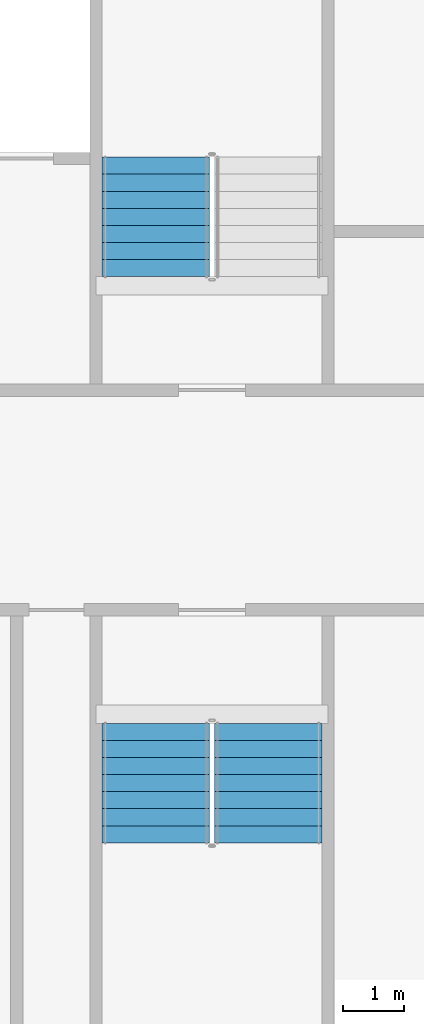
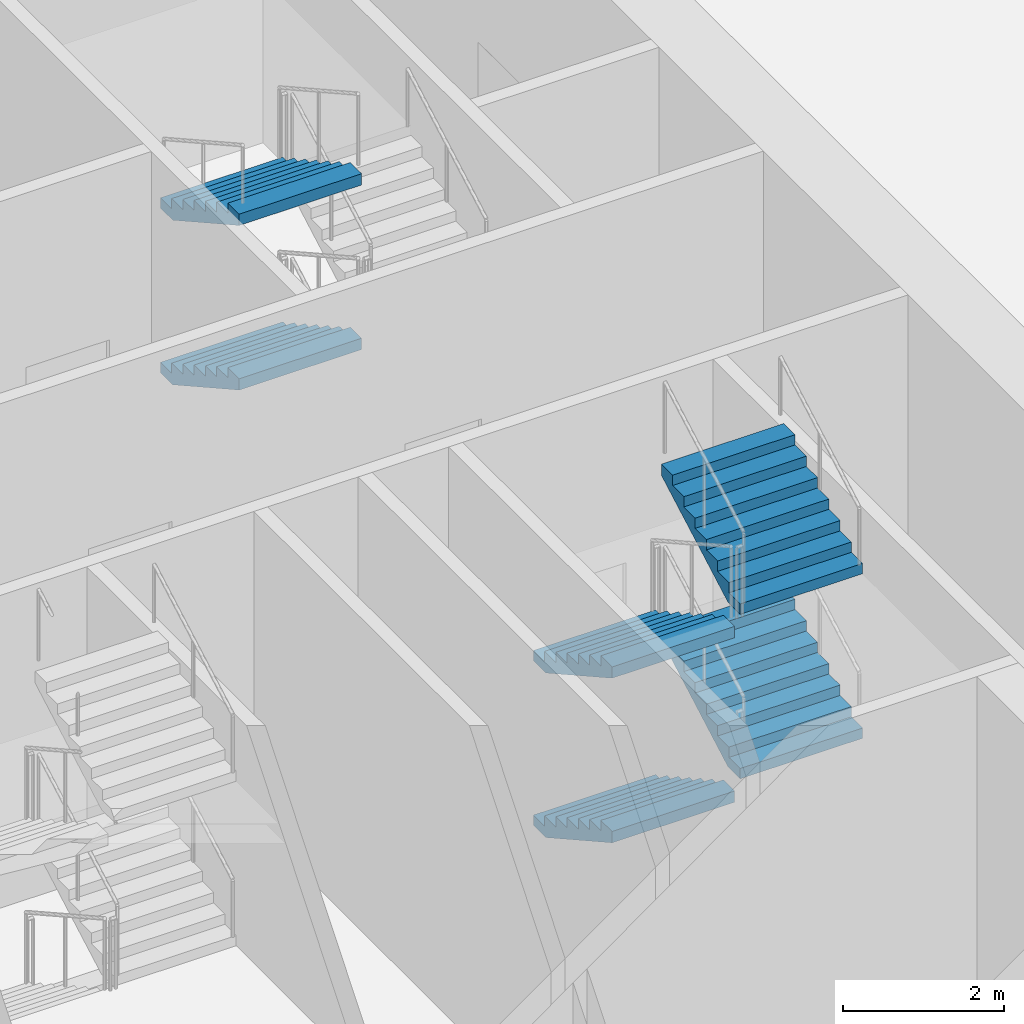
# One storey, part 15 of 22: 6 stair flights, 2 elements without a shape of their own.
"""IFC4 building model written with IfcOpenShell, lengths in metres."""

from ifc_helpers import new_model, si_unit, direction, frame, origin, place, context, subcontext, project, spatial, faceted_brep, material, type_object, element, aggregate, save


model = new_model("IFC4")

# Units and contexts
model_context = context("Model", 3, precision=1e-05, world=origin(), true_north=direction((0.0, 1.0)))
body_context = subcontext(model_context, "Body", "Model", "MODEL_VIEW")
ifc_project = project(units=[si_unit("LENGTHUNIT", "METRE"), si_unit("AREAUNIT", "SQUARE_METRE"), si_unit("VOLUMEUNIT", "CUBIC_METRE"), si_unit("PLANEANGLEUNIT", "RADIAN"), si_unit("MASSUNIT", "GRAM", prefix="KILO")], contexts=[model_context])

# Site, building, storey
site_placement = place(None, origin())
site = spatial("IfcSite", under=ifc_project, at=site_placement, CompositionType="ELEMENT")
building_placement = place(site_placement, origin())
building = spatial("IfcBuilding", under=site, at=building_placement, Name="Tarsis Ring Headquarters", CompositionType="ELEMENT")
storey_placement = place(building_placement, frame((0.0, 0.0, 25.0)))
storey = spatial("IfcBuildingStorey", under=building, at=storey_placement, Name="L04", CompositionType="ELEMENT", Elevation=25.0)

# Stair, stair flights
ifc_material_1 = material(Name="Core stair 1760")
stair_type = type_object("IfcStairType", Name="Core stair 1760", PredefinedType="HALF_TURN_STAIR", material=ifc_material_1)
stair_1_placement = place(storey_placement, origin())
stair_1 = element("IfcStair", 1, at=stair_1_placement, inside=storey, type_object=stair_type, Name="L04 Exit stair B", PredefinedType="HALF_TURN_STAIR")
ifc_material_2 = material(Name="Concrete C40/50", Category="concrete")
stair_flight_type = type_object("IfcStairFlightType", Name="Core stair flight 1760", PredefinedType="STRAIGHT", material=ifc_material_2)
stair_flight_1_placement = place(storey_placement, frame((3.580078125, 5.6201171875, 1.25), z_axis=(0.0, 0.0, 1.0), x_axis=(0.0, -1.0, 0.0)))
stair_flight_1 = element("IfcStairFlight", 2, at=stair_flight_1_placement, type_object=stair_flight_type, Name="Stair ST2 flight 2", NumberOfRisers=8, NumberOfTreads=7, PredefinedType="STRAIGHT", RiserHeight=0.15625, TreadLength=0.28, context=body_context, shape_type="Brep", body=[
    faceted_brep([(0.0, 0.8798828125, 0.0), (0.0, 0.8798828125, 0.15625), (0.280029296875, 0.8798828125, 0.15625), (0.280029296875, 0.8798828125, 0.3125), (0.56005859375, 0.8798828125, 0.3125), (0.56005859375, 0.8798828125, 0.46875), (0.840087890625, 0.8798828125, 0.46875), (0.840087890625, 0.8798828125, 0.625), (1.1201171875, 0.8798828125, 0.625), (1.1201171875, 0.8798828125, 0.78125), (1.39990234375, 0.8798828125, 0.78125), (1.39990234375, 0.8798828125, 0.9375), (1.679931640625, 0.8798828125, 0.9375), (1.679931640625, 0.8798828125, 1.09375), (1.9599609375, 0.8798828125, 1.09375), (1.9599609375, 0.8798828125, 0.922119140625), (0.3076171875, 0.8798828125, 0.0), (0.3076171875, -0.8798828125, 0.0), (1.9599609375, -0.8798828125, 0.922119140625), (1.9599609375, -0.8798828125, 1.09375), (1.679931640625, -0.8798828125, 1.09375), (1.679931640625, -0.8798828125, 0.9375), (1.39990234375, -0.8798828125, 0.9375), (1.39990234375, -0.8798828125, 0.78125), (1.1201171875, -0.8798828125, 0.78125), (1.1201171875, -0.8798828125, 0.625), (0.840087890625, -0.8798828125, 0.625), (0.840087890625, -0.8798828125, 0.46875), (0.56005859375, -0.8798828125, 0.46875), (0.56005859375, -0.8798828125, 0.3125), (0.280029296875, -0.8798828125, 0.3125), (0.280029296875, -0.8798828125, 0.15625), (0.0, -0.8798828125, 0.15625), (0.0, -0.8798828125, 0.0), (0.0, -0.43994140625, 0.15625), (0.0, -0.43994140625, 0.0), (0.0, 0.0, 0.15625), (0.0, 0.0, 0.0), (0.0, 0.43994140625, 0.15625), (0.0, 0.43994140625, 0.0), (0.280029296875, -0.43994140625, 0.15625), (0.280029296875, 0.0, 0.15625), (0.280029296875, 0.43994140625, 0.15625), (0.280029296875, -0.43994140625, 0.3125), (0.280029296875, 0.0, 0.3125), (0.280029296875, 0.43994140625, 0.3125), (0.56005859375, -0.43994140625, 0.3125), (0.56005859375, 0.0, 0.3125), (0.56005859375, 0.43994140625, 0.3125), (0.56005859375, -0.43994140625, 0.46875), (0.56005859375, 0.0, 0.46875), (0.56005859375, 0.43994140625, 0.46875), (0.840087890625, -0.43994140625, 0.46875), (0.840087890625, 0.0, 0.46875), (0.840087890625, 0.43994140625, 0.46875), (0.840087890625, -0.43994140625, 0.625), (0.840087890625, 0.0, 0.625), (0.840087890625, 0.43994140625, 0.625), (1.1201171875, -0.43994140625, 0.625), (1.1201171875, 0.0, 0.625), (1.1201171875, 0.43994140625, 0.625), (1.1201171875, -0.43994140625, 0.78125), (1.1201171875, 0.0, 0.78125), (1.1201171875, 0.43994140625, 0.78125), (1.39990234375, -0.43994140625, 0.78125), (1.39990234375, 0.0, 0.78125), (1.39990234375, 0.43994140625, 0.78125), (1.39990234375, -0.43994140625, 0.9375), (1.39990234375, 0.0, 0.9375), (1.39990234375, 0.43994140625, 0.9375), (1.679931640625, -0.43994140625, 0.9375), (1.679931640625, 0.0, 0.9375), (1.679931640625, 0.43994140625, 0.9375), (1.679931640625, -0.43994140625, 1.09375), (1.679931640625, 0.0, 1.09375), (1.679931640625, 0.43994140625, 1.09375), (1.9599609375, -0.43994140625, 1.09375), (1.9599609375, 0.0, 1.09375), (1.9599609375, 0.43994140625, 1.09375), (1.9599609375, -0.43994140625, 0.922119140625), (1.9599609375, 0.0, 0.922119140625), (1.9599609375, 0.43994140625, 0.922119140625), (0.3076171875, -0.43994140625, 0.0), (0.3076171875, 0.0, 0.0), (0.3076171875, 0.43994140625, 0.0)], [[[0, 1, 2, 3, 4, 5, 6, 7, 8, 9, 10, 11, 12, 13, 14, 15, 16]], [[17, 18, 19, 20, 21, 22, 23, 24, 25, 26, 27, 28, 29, 30, 31, 32, 33]], [[33, 32, 34, 35]], [[35, 34, 36, 37]], [[37, 36, 38, 39]], [[39, 38, 1, 0]], [[32, 31, 40, 34]], [[34, 40, 41, 36]], [[36, 41, 42, 38]], [[38, 42, 2, 1]], [[31, 30, 43, 40]], [[40, 43, 44, 41]], [[41, 44, 45, 42]], [[42, 45, 3, 2]], [[30, 29, 46, 43]], [[43, 46, 47, 44]], [[44, 47, 48, 45]], [[45, 48, 4, 3]], [[29, 28, 49, 46]], [[46, 49, 50, 47]], [[47, 50, 51, 48]], [[48, 51, 5, 4]], [[28, 27, 52, 49]], [[49, 52, 53, 50]], [[50, 53, 54, 51]], [[51, 54, 6, 5]], [[27, 26, 55, 52]], [[52, 55, 56, 53]], [[53, 56, 57, 54]], [[54, 57, 7, 6]], [[26, 25, 58, 55]], [[55, 58, 59, 56]], [[56, 59, 60, 57]], [[57, 60, 8, 7]], [[25, 24, 61, 58]], [[58, 61, 62, 59]], [[59, 62, 63, 60]], [[60, 63, 9, 8]], [[24, 23, 64, 61]], [[61, 64, 65, 62]], [[62, 65, 66, 63]], [[63, 66, 10, 9]], [[23, 22, 67, 64]], [[64, 67, 68, 65]], [[65, 68, 69, 66]], [[66, 69, 11, 10]], [[22, 21, 70, 67]], [[67, 70, 71, 68]], [[68, 71, 72, 69]], [[69, 72, 12, 11]], [[21, 20, 73, 70]], [[70, 73, 74, 71]], [[71, 74, 75, 72]], [[72, 75, 13, 12]], [[20, 19, 76, 73]], [[73, 76, 77, 74]], [[74, 77, 78, 75]], [[75, 78, 14, 13]], [[19, 18, 79, 76]], [[76, 79, 80, 77]], [[77, 80, 81, 78]], [[78, 81, 15, 14]], [[18, 17, 82, 79]], [[79, 82, 83, 80]], [[80, 83, 84, 81]], [[81, 84, 16, 15]], [[17, 33, 35, 82]], [[82, 35, 37, 83]], [[83, 37, 39, 84]], [[84, 39, 0, 16]]]),
])
stair_flight_2_placement = place(storey_placement, frame((3.580078125, 5.6201171875, 3.75), z_axis=(0.0, 0.0, 1.0), x_axis=(0.0, -1.0, 0.0)))
stair_flight_2 = element("IfcStairFlight", 3, at=stair_flight_2_placement, type_object=stair_flight_type, Name="Stair ST2 flight 4", NumberOfRisers=8, NumberOfTreads=7, PredefinedType="STRAIGHT", RiserHeight=0.15625, TreadLength=0.28, context=body_context, shape_type="Brep", body=[
    faceted_brep([(0.0, 0.8798828125, 0.0), (0.0, 0.8798828125, 0.15625), (0.280029296875, 0.8798828125, 0.15625), (0.280029296875, 0.8798828125, 0.3125), (0.56005859375, 0.8798828125, 0.3125), (0.56005859375, 0.8798828125, 0.46875), (0.840087890625, 0.8798828125, 0.46875), (0.840087890625, 0.8798828125, 0.625), (1.1201171875, 0.8798828125, 0.625), (1.1201171875, 0.8798828125, 0.78125), (1.39990234375, 0.8798828125, 0.78125), (1.39990234375, 0.8798828125, 0.9375), (1.679931640625, 0.8798828125, 0.9375), (1.679931640625, 0.8798828125, 1.09375), (1.9599609375, 0.8798828125, 1.09375), (1.9599609375, 0.8798828125, 0.922119140625), (0.3076171875, 0.8798828125, 0.0), (0.3076171875, -0.8798828125, 0.0), (1.9599609375, -0.8798828125, 0.922119140625), (1.9599609375, -0.8798828125, 1.09375), (1.679931640625, -0.8798828125, 1.09375), (1.679931640625, -0.8798828125, 0.9375), (1.39990234375, -0.8798828125, 0.9375), (1.39990234375, -0.8798828125, 0.78125), (1.1201171875, -0.8798828125, 0.78125), (1.1201171875, -0.8798828125, 0.625), (0.840087890625, -0.8798828125, 0.625), (0.840087890625, -0.8798828125, 0.46875), (0.56005859375, -0.8798828125, 0.46875), (0.56005859375, -0.8798828125, 0.3125), (0.280029296875, -0.8798828125, 0.3125), (0.280029296875, -0.8798828125, 0.15625), (0.0, -0.8798828125, 0.15625), (0.0, -0.8798828125, 0.0), (0.0, -0.43994140625, 0.15625), (0.0, -0.43994140625, 0.0), (0.0, 0.0, 0.15625), (0.0, 0.0, 0.0), (0.0, 0.43994140625, 0.15625), (0.0, 0.43994140625, 0.0), (0.280029296875, -0.43994140625, 0.15625), (0.280029296875, 0.0, 0.15625), (0.280029296875, 0.43994140625, 0.15625), (0.280029296875, -0.43994140625, 0.3125), (0.280029296875, 0.0, 0.3125), (0.280029296875, 0.43994140625, 0.3125), (0.56005859375, -0.43994140625, 0.3125), (0.56005859375, 0.0, 0.3125), (0.56005859375, 0.43994140625, 0.3125), (0.56005859375, -0.43994140625, 0.46875), (0.56005859375, 0.0, 0.46875), (0.56005859375, 0.43994140625, 0.46875), (0.840087890625, -0.43994140625, 0.46875), (0.840087890625, 0.0, 0.46875), (0.840087890625, 0.43994140625, 0.46875), (0.840087890625, -0.43994140625, 0.625), (0.840087890625, 0.0, 0.625), (0.840087890625, 0.43994140625, 0.625), (1.1201171875, -0.43994140625, 0.625), (1.1201171875, 0.0, 0.625), (1.1201171875, 0.43994140625, 0.625), (1.1201171875, -0.43994140625, 0.78125), (1.1201171875, 0.0, 0.78125), (1.1201171875, 0.43994140625, 0.78125), (1.39990234375, -0.43994140625, 0.78125), (1.39990234375, 0.0, 0.78125), (1.39990234375, 0.43994140625, 0.78125), (1.39990234375, -0.43994140625, 0.9375), (1.39990234375, 0.0, 0.9375), (1.39990234375, 0.43994140625, 0.9375), (1.679931640625, -0.43994140625, 0.9375), (1.679931640625, 0.0, 0.9375), (1.679931640625, 0.43994140625, 0.9375), (1.679931640625, -0.43994140625, 1.09375), (1.679931640625, 0.0, 1.09375), (1.679931640625, 0.43994140625, 1.09375), (1.9599609375, -0.43994140625, 1.09375), (1.9599609375, 0.0, 1.09375), (1.9599609375, 0.43994140625, 1.09375), (1.9599609375, -0.43994140625, 0.922119140625), (1.9599609375, 0.0, 0.922119140625), (1.9599609375, 0.43994140625, 0.922119140625), (0.3076171875, -0.43994140625, 0.0), (0.3076171875, 0.0, 0.0), (0.3076171875, 0.43994140625, 0.0)], [[[0, 1, 2, 3, 4, 5, 6, 7, 8, 9, 10, 11, 12, 13, 14, 15, 16]], [[17, 18, 19, 20, 21, 22, 23, 24, 25, 26, 27, 28, 29, 30, 31, 32, 33]], [[33, 32, 34, 35]], [[35, 34, 36, 37]], [[37, 36, 38, 39]], [[39, 38, 1, 0]], [[32, 31, 40, 34]], [[34, 40, 41, 36]], [[36, 41, 42, 38]], [[38, 42, 2, 1]], [[31, 30, 43, 40]], [[40, 43, 44, 41]], [[41, 44, 45, 42]], [[42, 45, 3, 2]], [[30, 29, 46, 43]], [[43, 46, 47, 44]], [[44, 47, 48, 45]], [[45, 48, 4, 3]], [[29, 28, 49, 46]], [[46, 49, 50, 47]], [[47, 50, 51, 48]], [[48, 51, 5, 4]], [[28, 27, 52, 49]], [[49, 52, 53, 50]], [[50, 53, 54, 51]], [[51, 54, 6, 5]], [[27, 26, 55, 52]], [[52, 55, 56, 53]], [[53, 56, 57, 54]], [[54, 57, 7, 6]], [[26, 25, 58, 55]], [[55, 58, 59, 56]], [[56, 59, 60, 57]], [[57, 60, 8, 7]], [[25, 24, 61, 58]], [[58, 61, 62, 59]], [[59, 62, 63, 60]], [[60, 63, 9, 8]], [[24, 23, 64, 61]], [[61, 64, 65, 62]], [[62, 65, 66, 63]], [[63, 66, 10, 9]], [[23, 22, 67, 64]], [[64, 67, 68, 65]], [[65, 68, 69, 66]], [[66, 69, 11, 10]], [[22, 21, 70, 67]], [[67, 70, 71, 68]], [[68, 71, 72, 69]], [[69, 72, 12, 11]], [[21, 20, 73, 70]], [[70, 73, 74, 71]], [[71, 74, 75, 72]], [[72, 75, 13, 12]], [[20, 19, 76, 73]], [[73, 76, 77, 74]], [[74, 77, 78, 75]], [[75, 78, 14, 13]], [[19, 18, 79, 76]], [[76, 79, 80, 77]], [[77, 80, 81, 78]], [[78, 81, 15, 14]], [[18, 17, 82, 79]], [[79, 82, 83, 80]], [[80, 83, 84, 81]], [[81, 84, 16, 15]], [[17, 33, 35, 82]], [[82, 35, 37, 83]], [[83, 37, 39, 84]], [[84, 39, 0, 16]]]),
])
aggregate(stair_1, [stair_flight_1, stair_flight_2])

stair_2_placement = place(storey_placement, origin())
stair_2 = element("IfcStair", 4, at=stair_2_placement, inside=storey, type_object=stair_type, Name="L04 Exit stair D", PredefinedType="HALF_TURN_STAIR")
stair_flight_3_placement = place(storey_placement, frame((3.580078125, -3.659912109375, 0.0), z_axis=(0.0, 0.0, 1.0), x_axis=(0.0, -1.0, 0.0)))
stair_flight_3 = element("IfcStairFlight", 5, at=stair_flight_3_placement, type_object=stair_flight_type, Name="Stair ST4 flight 1", NumberOfRisers=8, NumberOfTreads=7, PredefinedType="STRAIGHT", RiserHeight=0.15625, TreadLength=0.28, context=body_context, shape_type="Brep", body=[
    faceted_brep([(0.0, 0.8798828125, 0.0), (0.0, 0.8798828125, 0.15625), (0.280029296875, 0.8798828125, 0.15625), (0.280029296875, 0.8798828125, 0.3125), (0.56005859375, 0.8798828125, 0.3125), (0.56005859375, 0.8798828125, 0.46875), (0.840087890625, 0.8798828125, 0.46875), (0.840087890625, 0.8798828125, 0.625), (1.1201171875, 0.8798828125, 0.625), (1.1201171875, 0.8798828125, 0.78125), (1.39990234375, 0.8798828125, 0.78125), (1.39990234375, 0.8798828125, 0.9375), (1.679931640625, 0.8798828125, 0.9375), (1.679931640625, 0.8798828125, 1.09375), (1.9599609375, 0.8798828125, 1.09375), (1.9599609375, 0.8798828125, 0.922119140625), (0.3076171875, 0.8798828125, 0.0), (0.3076171875, -0.8798828125, 0.0), (1.9599609375, -0.8798828125, 0.922119140625), (1.9599609375, -0.8798828125, 1.09375), (1.679931640625, -0.8798828125, 1.09375), (1.679931640625, -0.8798828125, 0.9375), (1.39990234375, -0.8798828125, 0.9375), (1.39990234375, -0.8798828125, 0.78125), (1.1201171875, -0.8798828125, 0.78125), (1.1201171875, -0.8798828125, 0.625), (0.840087890625, -0.8798828125, 0.625), (0.840087890625, -0.8798828125, 0.46875), (0.56005859375, -0.8798828125, 0.46875), (0.56005859375, -0.8798828125, 0.3125), (0.280029296875, -0.8798828125, 0.3125), (0.280029296875, -0.8798828125, 0.15625), (0.0, -0.8798828125, 0.15625), (0.0, -0.8798828125, 0.0), (0.0, -0.43994140625, 0.15625), (0.0, -0.43994140625, 0.0), (0.0, 0.0, 0.15625), (0.0, 0.0, 0.0), (0.0, 0.43994140625, 0.15625), (0.0, 0.43994140625, 0.0), (0.280029296875, -0.43994140625, 0.15625), (0.280029296875, 0.0, 0.15625), (0.280029296875, 0.43994140625, 0.15625), (0.280029296875, -0.43994140625, 0.3125), (0.280029296875, 0.0, 0.3125), (0.280029296875, 0.43994140625, 0.3125), (0.56005859375, -0.43994140625, 0.3125), (0.56005859375, 0.0, 0.3125), (0.56005859375, 0.43994140625, 0.3125), (0.56005859375, -0.43994140625, 0.46875), (0.56005859375, 0.0, 0.46875), (0.56005859375, 0.43994140625, 0.46875), (0.840087890625, -0.43994140625, 0.46875), (0.840087890625, 0.0, 0.46875), (0.840087890625, 0.43994140625, 0.46875), (0.840087890625, -0.43994140625, 0.625), (0.840087890625, 0.0, 0.625), (0.840087890625, 0.43994140625, 0.625), (1.1201171875, -0.43994140625, 0.625), (1.1201171875, 0.0, 0.625), (1.1201171875, 0.43994140625, 0.625), (1.1201171875, -0.43994140625, 0.78125), (1.1201171875, 0.0, 0.78125), (1.1201171875, 0.43994140625, 0.78125), (1.39990234375, -0.43994140625, 0.78125), (1.39990234375, 0.0, 0.78125), (1.39990234375, 0.43994140625, 0.78125), (1.39990234375, -0.43994140625, 0.9375), (1.39990234375, 0.0, 0.9375), (1.39990234375, 0.43994140625, 0.9375), (1.679931640625, -0.43994140625, 0.9375), (1.679931640625, 0.0, 0.9375), (1.679931640625, 0.43994140625, 0.9375), (1.679931640625, -0.43994140625, 1.09375), (1.679931640625, 0.0, 1.09375), (1.679931640625, 0.43994140625, 1.09375), (1.9599609375, -0.43994140625, 1.09375), (1.9599609375, 0.0, 1.09375), (1.9599609375, 0.43994140625, 1.09375), (1.9599609375, -0.43994140625, 0.922119140625), (1.9599609375, 0.0, 0.922119140625), (1.9599609375, 0.43994140625, 0.922119140625), (0.3076171875, -0.43994140625, 0.0), (0.3076171875, 0.0, 0.0), (0.3076171875, 0.43994140625, 0.0)], [[[0, 1, 2, 3, 4, 5, 6, 7, 8, 9, 10, 11, 12, 13, 14, 15, 16]], [[17, 18, 19, 20, 21, 22, 23, 24, 25, 26, 27, 28, 29, 30, 31, 32, 33]], [[33, 32, 34, 35]], [[35, 34, 36, 37]], [[37, 36, 38, 39]], [[39, 38, 1, 0]], [[32, 31, 40, 34]], [[34, 40, 41, 36]], [[36, 41, 42, 38]], [[38, 42, 2, 1]], [[31, 30, 43, 40]], [[40, 43, 44, 41]], [[41, 44, 45, 42]], [[42, 45, 3, 2]], [[30, 29, 46, 43]], [[43, 46, 47, 44]], [[44, 47, 48, 45]], [[45, 48, 4, 3]], [[29, 28, 49, 46]], [[46, 49, 50, 47]], [[47, 50, 51, 48]], [[48, 51, 5, 4]], [[28, 27, 52, 49]], [[49, 52, 53, 50]], [[50, 53, 54, 51]], [[51, 54, 6, 5]], [[27, 26, 55, 52]], [[52, 55, 56, 53]], [[53, 56, 57, 54]], [[54, 57, 7, 6]], [[26, 25, 58, 55]], [[55, 58, 59, 56]], [[56, 59, 60, 57]], [[57, 60, 8, 7]], [[25, 24, 61, 58]], [[58, 61, 62, 59]], [[59, 62, 63, 60]], [[60, 63, 9, 8]], [[24, 23, 64, 61]], [[61, 64, 65, 62]], [[62, 65, 66, 63]], [[63, 66, 10, 9]], [[23, 22, 67, 64]], [[64, 67, 68, 65]], [[65, 68, 69, 66]], [[66, 69, 11, 10]], [[22, 21, 70, 67]], [[67, 70, 71, 68]], [[68, 71, 72, 69]], [[69, 72, 12, 11]], [[21, 20, 73, 70]], [[70, 73, 74, 71]], [[71, 74, 75, 72]], [[72, 75, 13, 12]], [[20, 19, 76, 73]], [[73, 76, 77, 74]], [[74, 77, 78, 75]], [[75, 78, 14, 13]], [[19, 18, 79, 76]], [[76, 79, 80, 77]], [[77, 80, 81, 78]], [[78, 81, 15, 14]], [[18, 17, 82, 79]], [[79, 82, 83, 80]], [[80, 83, 84, 81]], [[81, 84, 16, 15]], [[17, 33, 35, 82]], [[82, 35, 37, 83]], [[83, 37, 39, 84]], [[84, 39, 0, 16]]]),
])
stair_flight_4_placement = place(storey_placement, frame((5.419921875, -5.6201171875, 1.25), z_axis=(0.0, 0.0, 1.0), x_axis=(0.0, 1.0, 0.0)))
stair_flight_4 = element("IfcStairFlight", 6, at=stair_flight_4_placement, type_object=stair_flight_type, Name="Stair ST4 flight 2", NumberOfRisers=8, NumberOfTreads=7, PredefinedType="STRAIGHT", RiserHeight=0.15625, TreadLength=0.28, context=body_context, shape_type="Brep", body=[
    faceted_brep([(0.0, 0.8798828125, 0.0), (0.0, 0.8798828125, 0.15625), (0.280029296875, 0.8798828125, 0.15625), (0.280029296875, 0.8798828125, 0.3125), (0.56005859375, 0.8798828125, 0.3125), (0.56005859375, 0.8798828125, 0.46875), (0.840087890625, 0.8798828125, 0.46875), (0.840087890625, 0.8798828125, 0.625), (1.1201171875, 0.8798828125, 0.625), (1.1201171875, 0.8798828125, 0.78125), (1.39990234375, 0.8798828125, 0.78125), (1.39990234375, 0.8798828125, 0.9375), (1.679931640625, 0.8798828125, 0.9375), (1.679931640625, 0.8798828125, 1.09375), (1.9599609375, 0.8798828125, 1.09375), (1.9599609375, 0.8798828125, 0.922119140625), (0.3076171875, 0.8798828125, 0.0), (0.3076171875, -0.8798828125, 0.0), (1.9599609375, -0.8798828125, 0.922119140625), (1.9599609375, -0.8798828125, 1.09375), (1.679931640625, -0.8798828125, 1.09375), (1.679931640625, -0.8798828125, 0.9375), (1.39990234375, -0.8798828125, 0.9375), (1.39990234375, -0.8798828125, 0.78125), (1.1201171875, -0.8798828125, 0.78125), (1.1201171875, -0.8798828125, 0.625), (0.840087890625, -0.8798828125, 0.625), (0.840087890625, -0.8798828125, 0.46875), (0.56005859375, -0.8798828125, 0.46875), (0.56005859375, -0.8798828125, 0.3125), (0.280029296875, -0.8798828125, 0.3125), (0.280029296875, -0.8798828125, 0.15625), (0.0, -0.8798828125, 0.15625), (0.0, -0.8798828125, 0.0), (0.0, -0.43994140625, 0.15625), (0.0, -0.43994140625, 0.0), (0.0, 0.0, 0.15625), (0.0, 0.0, 0.0), (0.0, 0.43994140625, 0.15625), (0.0, 0.43994140625, 0.0), (0.280029296875, -0.43994140625, 0.15625), (0.280029296875, 0.0, 0.15625), (0.280029296875, 0.43994140625, 0.15625), (0.280029296875, -0.43994140625, 0.3125), (0.280029296875, 0.0, 0.3125), (0.280029296875, 0.43994140625, 0.3125), (0.56005859375, -0.43994140625, 0.3125), (0.56005859375, 0.0, 0.3125), (0.56005859375, 0.43994140625, 0.3125), (0.56005859375, -0.43994140625, 0.46875), (0.56005859375, 0.0, 0.46875), (0.56005859375, 0.43994140625, 0.46875), (0.840087890625, -0.43994140625, 0.46875), (0.840087890625, 0.0, 0.46875), (0.840087890625, 0.43994140625, 0.46875), (0.840087890625, -0.43994140625, 0.625), (0.840087890625, 0.0, 0.625), (0.840087890625, 0.43994140625, 0.625), (1.1201171875, -0.43994140625, 0.625), (1.1201171875, 0.0, 0.625), (1.1201171875, 0.43994140625, 0.625), (1.1201171875, -0.43994140625, 0.78125), (1.1201171875, 0.0, 0.78125), (1.1201171875, 0.43994140625, 0.78125), (1.39990234375, -0.43994140625, 0.78125), (1.39990234375, 0.0, 0.78125), (1.39990234375, 0.43994140625, 0.78125), (1.39990234375, -0.43994140625, 0.9375), (1.39990234375, 0.0, 0.9375), (1.39990234375, 0.43994140625, 0.9375), (1.679931640625, -0.43994140625, 0.9375), (1.679931640625, 0.0, 0.9375), (1.679931640625, 0.43994140625, 0.9375), (1.679931640625, -0.43994140625, 1.09375), (1.679931640625, 0.0, 1.09375), (1.679931640625, 0.43994140625, 1.09375), (1.9599609375, -0.43994140625, 1.09375), (1.9599609375, 0.0, 1.09375), (1.9599609375, 0.43994140625, 1.09375), (1.9599609375, -0.43994140625, 0.922119140625), (1.9599609375, 0.0, 0.922119140625), (1.9599609375, 0.43994140625, 0.922119140625), (0.3076171875, -0.43994140625, 0.0), (0.3076171875, 0.0, 0.0), (0.3076171875, 0.43994140625, 0.0)], [[[0, 1, 2, 3, 4, 5, 6, 7, 8, 9, 10, 11, 12, 13, 14, 15, 16]], [[17, 18, 19, 20, 21, 22, 23, 24, 25, 26, 27, 28, 29, 30, 31, 32, 33]], [[33, 32, 34, 35]], [[35, 34, 36, 37]], [[37, 36, 38, 39]], [[39, 38, 1, 0]], [[32, 31, 40, 34]], [[34, 40, 41, 36]], [[36, 41, 42, 38]], [[38, 42, 2, 1]], [[31, 30, 43, 40]], [[40, 43, 44, 41]], [[41, 44, 45, 42]], [[42, 45, 3, 2]], [[30, 29, 46, 43]], [[43, 46, 47, 44]], [[44, 47, 48, 45]], [[45, 48, 4, 3]], [[29, 28, 49, 46]], [[46, 49, 50, 47]], [[47, 50, 51, 48]], [[48, 51, 5, 4]], [[28, 27, 52, 49]], [[49, 52, 53, 50]], [[50, 53, 54, 51]], [[51, 54, 6, 5]], [[27, 26, 55, 52]], [[52, 55, 56, 53]], [[53, 56, 57, 54]], [[54, 57, 7, 6]], [[26, 25, 58, 55]], [[55, 58, 59, 56]], [[56, 59, 60, 57]], [[57, 60, 8, 7]], [[25, 24, 61, 58]], [[58, 61, 62, 59]], [[59, 62, 63, 60]], [[60, 63, 9, 8]], [[24, 23, 64, 61]], [[61, 64, 65, 62]], [[62, 65, 66, 63]], [[63, 66, 10, 9]], [[23, 22, 67, 64]], [[64, 67, 68, 65]], [[65, 68, 69, 66]], [[66, 69, 11, 10]], [[22, 21, 70, 67]], [[67, 70, 71, 68]], [[68, 71, 72, 69]], [[69, 72, 12, 11]], [[21, 20, 73, 70]], [[70, 73, 74, 71]], [[71, 74, 75, 72]], [[72, 75, 13, 12]], [[20, 19, 76, 73]], [[73, 76, 77, 74]], [[74, 77, 78, 75]], [[75, 78, 14, 13]], [[19, 18, 79, 76]], [[76, 79, 80, 77]], [[77, 80, 81, 78]], [[78, 81, 15, 14]], [[18, 17, 82, 79]], [[79, 82, 83, 80]], [[80, 83, 84, 81]], [[81, 84, 16, 15]], [[17, 33, 35, 82]], [[82, 35, 37, 83]], [[83, 37, 39, 84]], [[84, 39, 0, 16]]]),
])
stair_flight_5_placement = place(storey_placement, frame((3.580078125, -3.659912109375, 2.5), z_axis=(0.0, 0.0, 1.0), x_axis=(0.0, -1.0, 0.0)))
stair_flight_5 = element("IfcStairFlight", 7, at=stair_flight_5_placement, type_object=stair_flight_type, Name="Stair ST4 flight 3", NumberOfRisers=8, NumberOfTreads=7, PredefinedType="STRAIGHT", RiserHeight=0.15625, TreadLength=0.28, context=body_context, shape_type="Brep", body=[
    faceted_brep([(0.0, 0.8798828125, 0.0), (0.0, 0.8798828125, 0.15625), (0.280029296875, 0.8798828125, 0.15625), (0.280029296875, 0.8798828125, 0.3125), (0.56005859375, 0.8798828125, 0.3125), (0.56005859375, 0.8798828125, 0.46875), (0.840087890625, 0.8798828125, 0.46875), (0.840087890625, 0.8798828125, 0.625), (1.1201171875, 0.8798828125, 0.625), (1.1201171875, 0.8798828125, 0.78125), (1.39990234375, 0.8798828125, 0.78125), (1.39990234375, 0.8798828125, 0.9375), (1.679931640625, 0.8798828125, 0.9375), (1.679931640625, 0.8798828125, 1.09375), (1.9599609375, 0.8798828125, 1.09375), (1.9599609375, 0.8798828125, 0.922119140625), (0.3076171875, 0.8798828125, 0.0), (0.3076171875, -0.8798828125, 0.0), (1.9599609375, -0.8798828125, 0.922119140625), (1.9599609375, -0.8798828125, 1.09375), (1.679931640625, -0.8798828125, 1.09375), (1.679931640625, -0.8798828125, 0.9375), (1.39990234375, -0.8798828125, 0.9375), (1.39990234375, -0.8798828125, 0.78125), (1.1201171875, -0.8798828125, 0.78125), (1.1201171875, -0.8798828125, 0.625), (0.840087890625, -0.8798828125, 0.625), (0.840087890625, -0.8798828125, 0.46875), (0.56005859375, -0.8798828125, 0.46875), (0.56005859375, -0.8798828125, 0.3125), (0.280029296875, -0.8798828125, 0.3125), (0.280029296875, -0.8798828125, 0.15625), (0.0, -0.8798828125, 0.15625), (0.0, -0.8798828125, 0.0), (0.0, -0.43994140625, 0.15625), (0.0, -0.43994140625, 0.0), (0.0, 0.0, 0.15625), (0.0, 0.0, 0.0), (0.0, 0.43994140625, 0.15625), (0.0, 0.43994140625, 0.0), (0.280029296875, -0.43994140625, 0.15625), (0.280029296875, 0.0, 0.15625), (0.280029296875, 0.43994140625, 0.15625), (0.280029296875, -0.43994140625, 0.3125), (0.280029296875, 0.0, 0.3125), (0.280029296875, 0.43994140625, 0.3125), (0.56005859375, -0.43994140625, 0.3125), (0.56005859375, 0.0, 0.3125), (0.56005859375, 0.43994140625, 0.3125), (0.56005859375, -0.43994140625, 0.46875), (0.56005859375, 0.0, 0.46875), (0.56005859375, 0.43994140625, 0.46875), (0.840087890625, -0.43994140625, 0.46875), (0.840087890625, 0.0, 0.46875), (0.840087890625, 0.43994140625, 0.46875), (0.840087890625, -0.43994140625, 0.625), (0.840087890625, 0.0, 0.625), (0.840087890625, 0.43994140625, 0.625), (1.1201171875, -0.43994140625, 0.625), (1.1201171875, 0.0, 0.625), (1.1201171875, 0.43994140625, 0.625), (1.1201171875, -0.43994140625, 0.78125), (1.1201171875, 0.0, 0.78125), (1.1201171875, 0.43994140625, 0.78125), (1.39990234375, -0.43994140625, 0.78125), (1.39990234375, 0.0, 0.78125), (1.39990234375, 0.43994140625, 0.78125), (1.39990234375, -0.43994140625, 0.9375), (1.39990234375, 0.0, 0.9375), (1.39990234375, 0.43994140625, 0.9375), (1.679931640625, -0.43994140625, 0.9375), (1.679931640625, 0.0, 0.9375), (1.679931640625, 0.43994140625, 0.9375), (1.679931640625, -0.43994140625, 1.09375), (1.679931640625, 0.0, 1.09375), (1.679931640625, 0.43994140625, 1.09375), (1.9599609375, -0.43994140625, 1.09375), (1.9599609375, 0.0, 1.09375), (1.9599609375, 0.43994140625, 1.09375), (1.9599609375, -0.43994140625, 0.922119140625), (1.9599609375, 0.0, 0.922119140625), (1.9599609375, 0.43994140625, 0.922119140625), (0.3076171875, -0.43994140625, 0.0), (0.3076171875, 0.0, 0.0), (0.3076171875, 0.43994140625, 0.0)], [[[0, 1, 2, 3, 4, 5, 6, 7, 8, 9, 10, 11, 12, 13, 14, 15, 16]], [[17, 18, 19, 20, 21, 22, 23, 24, 25, 26, 27, 28, 29, 30, 31, 32, 33]], [[33, 32, 34, 35]], [[35, 34, 36, 37]], [[37, 36, 38, 39]], [[39, 38, 1, 0]], [[32, 31, 40, 34]], [[34, 40, 41, 36]], [[36, 41, 42, 38]], [[38, 42, 2, 1]], [[31, 30, 43, 40]], [[40, 43, 44, 41]], [[41, 44, 45, 42]], [[42, 45, 3, 2]], [[30, 29, 46, 43]], [[43, 46, 47, 44]], [[44, 47, 48, 45]], [[45, 48, 4, 3]], [[29, 28, 49, 46]], [[46, 49, 50, 47]], [[47, 50, 51, 48]], [[48, 51, 5, 4]], [[28, 27, 52, 49]], [[49, 52, 53, 50]], [[50, 53, 54, 51]], [[51, 54, 6, 5]], [[27, 26, 55, 52]], [[52, 55, 56, 53]], [[53, 56, 57, 54]], [[54, 57, 7, 6]], [[26, 25, 58, 55]], [[55, 58, 59, 56]], [[56, 59, 60, 57]], [[57, 60, 8, 7]], [[25, 24, 61, 58]], [[58, 61, 62, 59]], [[59, 62, 63, 60]], [[60, 63, 9, 8]], [[24, 23, 64, 61]], [[61, 64, 65, 62]], [[62, 65, 66, 63]], [[63, 66, 10, 9]], [[23, 22, 67, 64]], [[64, 67, 68, 65]], [[65, 68, 69, 66]], [[66, 69, 11, 10]], [[22, 21, 70, 67]], [[67, 70, 71, 68]], [[68, 71, 72, 69]], [[69, 72, 12, 11]], [[21, 20, 73, 70]], [[70, 73, 74, 71]], [[71, 74, 75, 72]], [[72, 75, 13, 12]], [[20, 19, 76, 73]], [[73, 76, 77, 74]], [[74, 77, 78, 75]], [[75, 78, 14, 13]], [[19, 18, 79, 76]], [[76, 79, 80, 77]], [[77, 80, 81, 78]], [[78, 81, 15, 14]], [[18, 17, 82, 79]], [[79, 82, 83, 80]], [[80, 83, 84, 81]], [[81, 84, 16, 15]], [[17, 33, 35, 82]], [[82, 35, 37, 83]], [[83, 37, 39, 84]], [[84, 39, 0, 16]]]),
])
stair_flight_6_placement = place(storey_placement, frame((5.419921875, -5.6201171875, 3.75), z_axis=(0.0, 0.0, 1.0), x_axis=(0.0, 1.0, 0.0)))
stair_flight_6 = element("IfcStairFlight", 8, at=stair_flight_6_placement, type_object=stair_flight_type, Name="Stair ST4 flight 4", NumberOfRisers=8, NumberOfTreads=7, PredefinedType="STRAIGHT", RiserHeight=0.15625, TreadLength=0.28, context=body_context, shape_type="Brep", body=[
    faceted_brep([(0.0, 0.8798828125, 0.0), (0.0, 0.8798828125, 0.15625), (0.280029296875, 0.8798828125, 0.15625), (0.280029296875, 0.8798828125, 0.3125), (0.56005859375, 0.8798828125, 0.3125), (0.56005859375, 0.8798828125, 0.46875), (0.840087890625, 0.8798828125, 0.46875), (0.840087890625, 0.8798828125, 0.625), (1.1201171875, 0.8798828125, 0.625), (1.1201171875, 0.8798828125, 0.78125), (1.39990234375, 0.8798828125, 0.78125), (1.39990234375, 0.8798828125, 0.9375), (1.679931640625, 0.8798828125, 0.9375), (1.679931640625, 0.8798828125, 1.09375), (1.9599609375, 0.8798828125, 1.09375), (1.9599609375, 0.8798828125, 0.922119140625), (0.3076171875, 0.8798828125, 0.0), (0.3076171875, -0.8798828125, 0.0), (1.9599609375, -0.8798828125, 0.922119140625), (1.9599609375, -0.8798828125, 1.09375), (1.679931640625, -0.8798828125, 1.09375), (1.679931640625, -0.8798828125, 0.9375), (1.39990234375, -0.8798828125, 0.9375), (1.39990234375, -0.8798828125, 0.78125), (1.1201171875, -0.8798828125, 0.78125), (1.1201171875, -0.8798828125, 0.625), (0.840087890625, -0.8798828125, 0.625), (0.840087890625, -0.8798828125, 0.46875), (0.56005859375, -0.8798828125, 0.46875), (0.56005859375, -0.8798828125, 0.3125), (0.280029296875, -0.8798828125, 0.3125), (0.280029296875, -0.8798828125, 0.15625), (0.0, -0.8798828125, 0.15625), (0.0, -0.8798828125, 0.0), (0.0, -0.43994140625, 0.15625), (0.0, -0.43994140625, 0.0), (0.0, 0.0, 0.15625), (0.0, 0.0, 0.0), (0.0, 0.43994140625, 0.15625), (0.0, 0.43994140625, 0.0), (0.280029296875, -0.43994140625, 0.15625), (0.280029296875, 0.0, 0.15625), (0.280029296875, 0.43994140625, 0.15625), (0.280029296875, -0.43994140625, 0.3125), (0.280029296875, 0.0, 0.3125), (0.280029296875, 0.43994140625, 0.3125), (0.56005859375, -0.43994140625, 0.3125), (0.56005859375, 0.0, 0.3125), (0.56005859375, 0.43994140625, 0.3125), (0.56005859375, -0.43994140625, 0.46875), (0.56005859375, 0.0, 0.46875), (0.56005859375, 0.43994140625, 0.46875), (0.840087890625, -0.43994140625, 0.46875), (0.840087890625, 0.0, 0.46875), (0.840087890625, 0.43994140625, 0.46875), (0.840087890625, -0.43994140625, 0.625), (0.840087890625, 0.0, 0.625), (0.840087890625, 0.43994140625, 0.625), (1.1201171875, -0.43994140625, 0.625), (1.1201171875, 0.0, 0.625), (1.1201171875, 0.43994140625, 0.625), (1.1201171875, -0.43994140625, 0.78125), (1.1201171875, 0.0, 0.78125), (1.1201171875, 0.43994140625, 0.78125), (1.39990234375, -0.43994140625, 0.78125), (1.39990234375, 0.0, 0.78125), (1.39990234375, 0.43994140625, 0.78125), (1.39990234375, -0.43994140625, 0.9375), (1.39990234375, 0.0, 0.9375), (1.39990234375, 0.43994140625, 0.9375), (1.679931640625, -0.43994140625, 0.9375), (1.679931640625, 0.0, 0.9375), (1.679931640625, 0.43994140625, 0.9375), (1.679931640625, -0.43994140625, 1.09375), (1.679931640625, 0.0, 1.09375), (1.679931640625, 0.43994140625, 1.09375), (1.9599609375, -0.43994140625, 1.09375), (1.9599609375, 0.0, 1.09375), (1.9599609375, 0.43994140625, 1.09375), (1.9599609375, -0.43994140625, 0.922119140625), (1.9599609375, 0.0, 0.922119140625), (1.9599609375, 0.43994140625, 0.922119140625), (0.3076171875, -0.43994140625, 0.0), (0.3076171875, 0.0, 0.0), (0.3076171875, 0.43994140625, 0.0)], [[[0, 1, 2, 3, 4, 5, 6, 7, 8, 9, 10, 11, 12, 13, 14, 15, 16]], [[17, 18, 19, 20, 21, 22, 23, 24, 25, 26, 27, 28, 29, 30, 31, 32, 33]], [[33, 32, 34, 35]], [[35, 34, 36, 37]], [[37, 36, 38, 39]], [[39, 38, 1, 0]], [[32, 31, 40, 34]], [[34, 40, 41, 36]], [[36, 41, 42, 38]], [[38, 42, 2, 1]], [[31, 30, 43, 40]], [[40, 43, 44, 41]], [[41, 44, 45, 42]], [[42, 45, 3, 2]], [[30, 29, 46, 43]], [[43, 46, 47, 44]], [[44, 47, 48, 45]], [[45, 48, 4, 3]], [[29, 28, 49, 46]], [[46, 49, 50, 47]], [[47, 50, 51, 48]], [[48, 51, 5, 4]], [[28, 27, 52, 49]], [[49, 52, 53, 50]], [[50, 53, 54, 51]], [[51, 54, 6, 5]], [[27, 26, 55, 52]], [[52, 55, 56, 53]], [[53, 56, 57, 54]], [[54, 57, 7, 6]], [[26, 25, 58, 55]], [[55, 58, 59, 56]], [[56, 59, 60, 57]], [[57, 60, 8, 7]], [[25, 24, 61, 58]], [[58, 61, 62, 59]], [[59, 62, 63, 60]], [[60, 63, 9, 8]], [[24, 23, 64, 61]], [[61, 64, 65, 62]], [[62, 65, 66, 63]], [[63, 66, 10, 9]], [[23, 22, 67, 64]], [[64, 67, 68, 65]], [[65, 68, 69, 66]], [[66, 69, 11, 10]], [[22, 21, 70, 67]], [[67, 70, 71, 68]], [[68, 71, 72, 69]], [[69, 72, 12, 11]], [[21, 20, 73, 70]], [[70, 73, 74, 71]], [[71, 74, 75, 72]], [[72, 75, 13, 12]], [[20, 19, 76, 73]], [[73, 76, 77, 74]], [[74, 77, 78, 75]], [[75, 78, 14, 13]], [[19, 18, 79, 76]], [[76, 79, 80, 77]], [[77, 80, 81, 78]], [[78, 81, 15, 14]], [[18, 17, 82, 79]], [[79, 82, 83, 80]], [[80, 83, 84, 81]], [[81, 84, 16, 15]], [[17, 33, 35, 82]], [[82, 35, 37, 83]], [[83, 37, 39, 84]], [[84, 39, 0, 16]]]),
])
aggregate(stair_2, [stair_flight_3, stair_flight_4, stair_flight_5, stair_flight_6])

save(model, "model.ifc")
